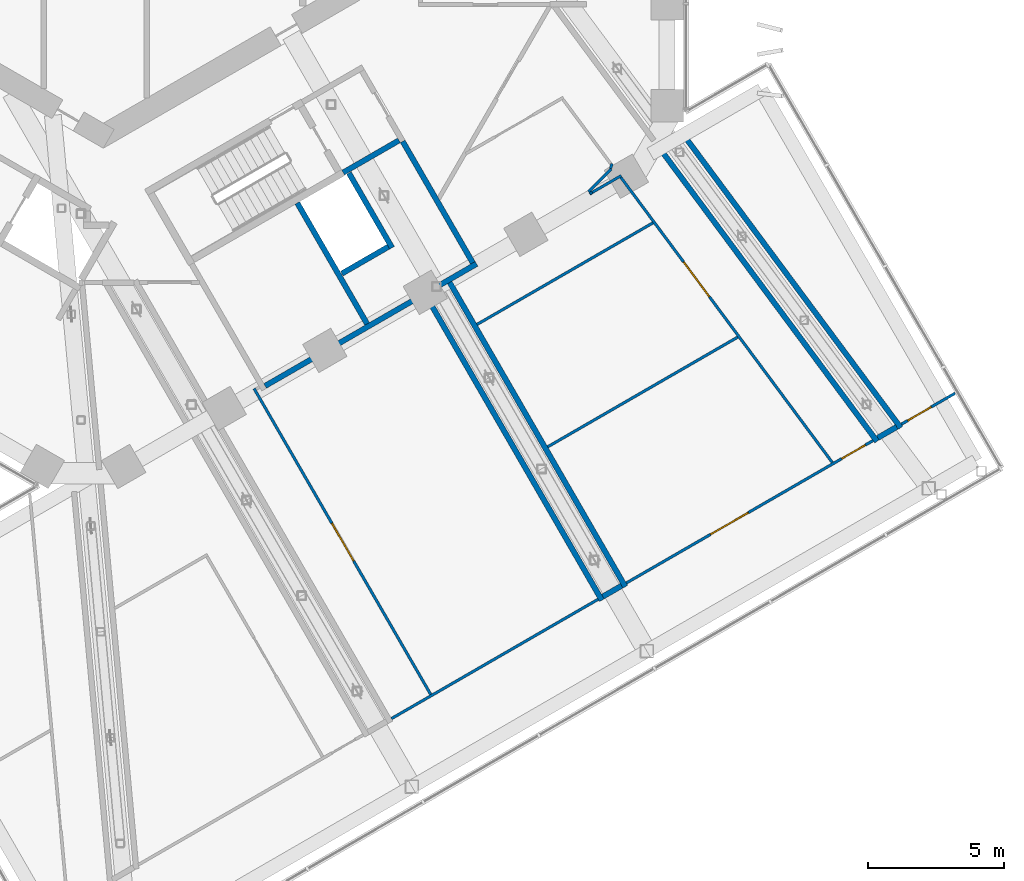
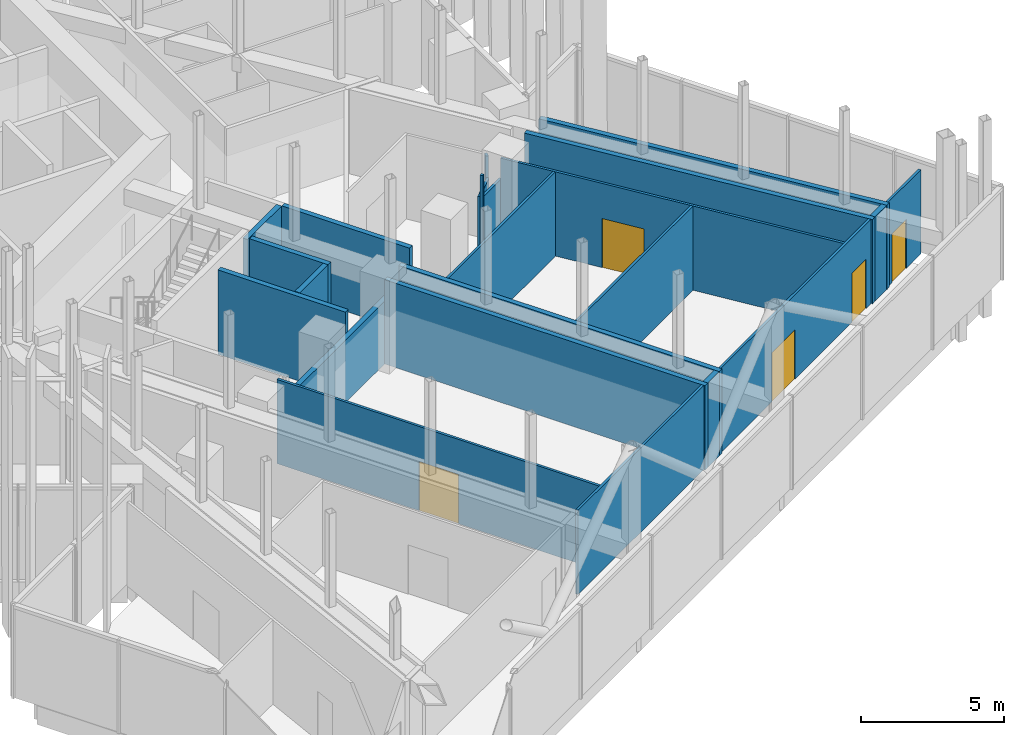
# One storey, part 20 of 29: 23 walls, 5 doors, 5 openings.
"""IFC4 building model written with IfcOpenShell, lengths in metres."""

from ifc_helpers import new_model, si_unit, direction, frame, frame_2d, origin, place, context, subcontext, project, spatial, rectangle, extrude, material, layer, layer_set, type_object, element, fill, save


model = new_model("IFC4")

# Units and contexts
model_context = context("Model", 3, precision=1e-05, world=origin(), true_north=direction((0.0, 1.0)))
body_context = subcontext(model_context, "Body", "Model", "MODEL_VIEW")
ifc_project = project(units=[si_unit("LENGTHUNIT", "METRE"), si_unit("AREAUNIT", "SQUARE_METRE"), si_unit("VOLUMEUNIT", "CUBIC_METRE"), si_unit("PLANEANGLEUNIT", "RADIAN"), si_unit("MASSUNIT", "GRAM", prefix="KILO")], contexts=[model_context])

# Site, building, storey
site_placement = place(None, origin())
site = spatial("IfcSite", under=ifc_project, at=site_placement, CompositionType="ELEMENT")
building_placement = place(site_placement, origin())
building = spatial("IfcBuilding", under=site, at=building_placement, Name="Ayvan Gate Tower", CompositionType="ELEMENT")
storey_placement = place(building_placement, frame((0.0, 0.0, 66.300048828125)))
storey = spatial("IfcBuildingStorey", under=building, at=storey_placement, Name="L17", CompositionType="ELEMENT", Elevation=66.300048828125)

# Wall, opening, door
ifc_material_1 = material(Name="Plasterboard on steel stud", Category="steel")
ifc_layer_1 = layer(ifc_material_1, 0.10009765625)
ifc_layer_set_1 = layer_set([ifc_layer_1], Name="Plasterboard on steel stud")
wall_type_1 = type_object("IfcWallType", Name="WT-PART-100", PredefinedType="PARTITIONING", material=ifc_layer_set_1)
wall_1_placement = place(storey_placement, frame((5.560546875, -19.831298828125, 0.0), z_axis=(0.0, 0.0, 1.0), x_axis=(0.500009798456, -0.866019746569, 0.0)))
wall_1 = element("IfcWall", 1, at=wall_1_placement, inside=storey, type_object=wall_type_1, Name="IW-L17-096", PredefinedType="PARTITIONING", context=body_context, shape_type="SweptSolid", body=[
    extrude(rectangle(XDim=13.017822265625, YDim=0.10009765625, at=frame_2d((6.5087890625, 0.0))), origin(), (0.0, 0.0, 1.0), 3.599853515625),
])
opening_1_placement = place(wall_1_placement, frame((5.73388671875, 0.0, 0.0)))
opening_1 = element("IfcOpeningElement", 2, at=opening_1_placement, cuts=wall_1, Name="Opening L17-D45", PredefinedType="OPENING", context=body_context, shape_type="SweptSolid", body=[
    extrude(rectangle(XDim=1.60009765625, YDim=2.10009765625, at=frame_2d((0.800048828125, 1.050048828125))), frame((0.0, 0.06005859375, 0.0), z_axis=(0.0, -1.0, 0.0), x_axis=(1.0, 0.0, 0.0)), (0.0, 0.0, 1.0), 0.1201171875),
])
ifc_material_2 = material(Name="Timber door leaf", Category="wood")
door_type_1 = type_object("IfcDoorType", Name="DT-1600", OperationType="NOTDEFINED", PredefinedType="DOOR", material=ifc_material_2)
door_1_placement = place(opening_1_placement, origin())
door_1 = element("IfcDoor", 3, at=door_1_placement, inside=storey, type_object=door_type_1, Name="ID-L17-045", OperationType="SINGLE_SWING_RIGHT", OverallHeight=2.10009765625, OverallWidth=1.60009765625, PredefinedType="DOOR", context=body_context, shape_type="SweptSolid", body=[
    extrude(rectangle(XDim=1.60009765625, YDim=2.10009765625, at=frame_2d((0.800048828125, 1.050048828125))), frame((0.0, 0.02490234375, 0.0), z_axis=(0.0, -1.0, 0.0), x_axis=(1.0, 0.0, 0.0)), (0.0, 0.0, 1.0), 0.050048828125),
])
fill(opening_1, door_1)

# Walls
wall_2_placement = place(storey_placement, frame((10.622314453125, -31.998291015625, 0.0), z_axis=(0.0, 0.0, 1.0), x_axis=(0.866020190133, 0.500009030201, 0.0)))
element("IfcWall", 4, at=wall_2_placement, inside=storey, type_object=wall_type_1, Name="IW-L17-115", PredefinedType="PARTITIONING", context=body_context, shape_type="SweptSolid", body=[
    extrude(rectangle(XDim=8.800048828125, YDim=0.10009765625, at=frame_2d((4.39990234375, 0.0))), origin(), (0.0, 0.0, 1.0), 3.599853515625),
])
wall_3_placement = place(storey_placement, frame((17.883056640625, -12.57421875, 0.0), z_axis=(0.0, 0.0, 1.0), x_axis=(0.707106781187, 0.707106781187, 0.0)))
element("IfcWall", 5, at=wall_3_placement, inside=storey, type_object=wall_type_1, Name="IW-L17-140", PredefinedType="PARTITIONING", context=body_context, shape_type="SweptSolid", body=[
    extrude(rectangle(XDim=1.190185546875, YDim=0.10009765625, at=frame_2d((0.59521484375, 0.0))), origin(), (0.0, 0.0, 1.0), 2.675048828125),
])
wall_4_placement = place(storey_placement, frame((18.0126953125, -12.662109375, 0.0), z_axis=(0.0, 0.0, 1.0), x_axis=(-0.608139126224, 0.793830462476, 0.0)))
element("IfcWall", 6, at=wall_4_placement, inside=storey, type_object=wall_type_1, Name="IW-L17-141", PredefinedType="PARTITIONING", context=body_context, shape_type="SweptSolid", body=[
    extrude(rectangle(XDim=0.105224609375, YDim=0.10009765625, at=frame_2d((0.052734375, 0.0))), origin(), (0.0, 0.0, 1.0), 3.599853515625),
])
wall_5_placement = place(storey_placement, frame((18.702392578125, -11.7197265625, 0.0), z_axis=(0.0, 0.0, 1.0), x_axis=(0.257902224814, 0.966171021319, 0.0)))
element("IfcWall", 7, at=wall_5_placement, inside=storey, type_object=wall_type_1, Name="IW-L17-145", PredefinedType="PARTITIONING", context=body_context, shape_type="SweptSolid", body=[
    extrude(rectangle(XDim=0.190185546875, YDim=0.10009765625, at=frame_2d((0.09521484375, 0.0))), origin(), (0.0, 0.0, 1.0), 3.599853515625),
])
wall_6_placement = place(storey_placement, frame((19.09423828125, -11.98046875, 0.0), z_axis=(0.0, 0.0, 1.0), x_axis=(-0.866030726613, -0.499990780478, 0.0)))
element("IfcWall", 8, at=wall_6_placement, inside=storey, type_object=wall_type_1, Name="IW-L17-147", PredefinedType="PARTITIONING", context=body_context, shape_type="SweptSolid", body=[
    extrude(rectangle(XDim=1.23388671875, YDim=0.10009765625, at=frame_2d((0.616943359375, 0.0))), origin(), (0.0, 0.0, 1.0), 2.675048828125),
])

# Wall, openings, doors
wall_7_placement = place(storey_placement, frame((19.282470703125, -26.998291015625, 0.0), z_axis=(0.0, 0.0, 1.0), x_axis=(0.866024561644, 0.500001458627, 0.0)))
wall_7 = element("IfcWall", 9, at=wall_7_placement, inside=storey, type_object=wall_type_1, Name="IW-L17-148", PredefinedType="PARTITIONING", context=body_context, shape_type="SweptSolid", body=[
    extrude(rectangle(XDim=10.50341796875, YDim=0.10009765625, at=frame_2d((5.251708984375, 0.0))), origin(), (0.0, 0.0, 1.0), 3.599853515625),
])
opening_2_placement = place(wall_7_placement, frame((9.16845703125, 0.0, 0.0)))
opening_2 = element("IfcOpeningElement", 10, at=opening_2_placement, cuts=wall_7, Name="Opening L17-D38", PredefinedType="OPENING", context=body_context, shape_type="SweptSolid", body=[
    extrude(rectangle(XDim=1.0, YDim=2.10009765625, at=frame_2d((0.5, 1.050048828125))), frame((0.0, 0.06005859375, 0.0), z_axis=(0.0, -1.0, 0.0), x_axis=(1.0, 0.0, 0.0)), (0.0, 0.0, 1.0), 0.1201171875),
])
opening_3_placement = place(wall_7_placement, frame((3.586669921875, 0.0, 0.0)))
opening_3 = element("IfcOpeningElement", 11, at=opening_3_placement, cuts=wall_7, Name="Opening L17-D49", PredefinedType="OPENING", context=body_context, shape_type="SweptSolid", body=[
    extrude(rectangle(XDim=1.60009765625, YDim=2.10009765625, at=frame_2d((0.800048828125, 1.050048828125))), frame((0.0, 0.06005859375, 0.0), z_axis=(0.0, -1.0, 0.0), x_axis=(1.0, 0.0, 0.0)), (0.0, 0.0, 1.0), 0.1201171875),
])
door_type_2 = type_object("IfcDoorType", Name="DT-1000", OperationType="NOTDEFINED", PredefinedType="DOOR", material=ifc_material_2)
door_2_placement = place(opening_2_placement, origin())
door_2 = element("IfcDoor", 12, at=door_2_placement, inside=storey, type_object=door_type_2, Name="ID-L17-038", OperationType="SINGLE_SWING_LEFT", OverallHeight=2.10009765625, OverallWidth=1.0, PredefinedType="DOOR", context=body_context, shape_type="SweptSolid", body=[
    extrude(rectangle(XDim=1.0, YDim=2.10009765625, at=frame_2d((0.5, 1.050048828125))), frame((0.0, 0.02490234375, 0.0), z_axis=(0.0, -1.0, 0.0), x_axis=(1.0, 0.0, 0.0)), (0.0, 0.0, 1.0), 0.050048828125),
])
fill(opening_2, door_2)
door_3_placement = place(opening_3_placement, origin())
door_3 = element("IfcDoor", 13, at=door_3_placement, inside=storey, type_object=door_type_1, Name="ID-L17-049", OperationType="SINGLE_SWING_RIGHT", OverallHeight=2.10009765625, OverallWidth=1.60009765625, PredefinedType="DOOR", context=body_context, shape_type="SweptSolid", body=[
    extrude(rectangle(XDim=1.60009765625, YDim=2.10009765625, at=frame_2d((0.800048828125, 1.050048828125))), frame((0.0, 0.02490234375, 0.0), z_axis=(0.0, -1.0, 0.0), x_axis=(1.0, 0.0, 0.0)), (0.0, 0.0, 1.0), 0.050048828125),
])
fill(opening_3, door_3)

# Wall
wall_8_placement = place(storey_placement, frame((20.262451171875, -13.721923828125, 0.0), z_axis=(0.0, 0.0, 1.0), x_axis=(-0.866021041913, -0.500007554907, 0.0)))
element("IfcWall", 14, at=wall_8_placement, inside=storey, type_object=wall_type_1, Name="IW-L17-151", PredefinedType="PARTITIONING", context=body_context, shape_type="SweptSolid", body=[
    extrude(rectangle(XDim=7.48681640625, YDim=0.10009765625, at=frame_2d((3.743408203125, 0.0))), origin(), (0.0, 0.0, 1.0), 3.599853515625),
])

# Wall, opening, door
wall_9_placement = place(storey_placement, frame((19.080810546875, -12.04541015625, 0.0), z_axis=(0.0, 0.0, 1.0), x_axis=(0.595719994052, -0.803192186644, 0.0)))
wall_9 = element("IfcWall", 15, at=wall_9_placement, inside=storey, type_object=wall_type_1, Name="IW-L17-152", PredefinedType="PARTITIONING", context=body_context, shape_type="SweptSolid", body=[
    extrude(rectangle(XDim=13.08642578125, YDim=0.10009765625, at=frame_2d((6.543212890625, 0.0))), origin(), (0.0, 0.0, 1.0), 3.599853515625),
])
opening_4_placement = place(wall_9_placement, frame((3.87841796875, 0.0, 0.0)))
opening_4 = element("IfcOpeningElement", 16, at=opening_4_placement, cuts=wall_9, Name="Opening L17-D48", PredefinedType="OPENING", context=body_context, shape_type="SweptSolid", body=[
    extrude(rectangle(XDim=1.60009765625, YDim=2.10009765625, at=frame_2d((0.800048828125, 1.050048828125))), frame((0.0, 0.06005859375, 0.0), z_axis=(0.0, -1.0, 0.0), x_axis=(1.0, 0.0, 0.0)), (0.0, 0.0, 1.0), 0.1201171875),
])
door_4_placement = place(opening_4_placement, origin())
door_4 = element("IfcDoor", 17, at=door_4_placement, inside=storey, type_object=door_type_1, Name="ID-L17-048", OperationType="SINGLE_SWING_LEFT", OverallHeight=2.10009765625, OverallWidth=1.60009765625, PredefinedType="DOOR", context=body_context, shape_type="SweptSolid", body=[
    extrude(rectangle(XDim=1.60009765625, YDim=2.10009765625, at=frame_2d((0.800048828125, 1.050048828125))), frame((0.0, 0.02490234375, 0.0), z_axis=(0.0, -1.0, 0.0), x_axis=(1.0, 0.0, 0.0)), (0.0, 0.0, 1.0), 0.050048828125),
])
fill(opening_4, door_4)

# Wall
wall_10_placement = place(storey_placement, frame((23.38671875, -17.9345703125, 0.0), z_axis=(0.0, 0.0, 1.0), x_axis=(-0.866021679419, -0.500006450734, 0.0)))
element("IfcWall", 18, at=wall_10_placement, inside=storey, type_object=wall_type_1, Name="IW-L17-154", PredefinedType="PARTITIONING", context=body_context, shape_type="SweptSolid", body=[
    extrude(rectangle(XDim=8.08642578125, YDim=0.10009765625, at=frame_2d((4.043212890625, 0.0))), origin(), (0.0, 0.0, 1.0), 3.599853515625),
])

# Wall, opening, door
wall_11_placement = place(storey_placement, frame((29.423583984375, -21.143310546875, 0.0), z_axis=(0.0, 0.0, 1.0), x_axis=(0.866013071698, 0.500021359192, 0.0)))
wall_11 = element("IfcWall", 19, at=wall_11_placement, inside=storey, type_object=wall_type_1, Name="IW-L17-156", PredefinedType="PARTITIONING", context=body_context, shape_type="SweptSolid", body=[
    extrude(rectangle(XDim=2.2861328125, YDim=0.10009765625, at=frame_2d((1.14306640625, 0.0))), origin(), (0.0, 0.0, 1.0), 3.599853515625),
])
opening_5_placement = place(wall_11_placement, frame((0.27001953125, 0.0, 0.0)))
opening_5 = element("IfcOpeningElement", 20, at=opening_5_placement, cuts=wall_11, Name="Opening L17-D50", PredefinedType="OPENING", context=body_context, shape_type="SweptSolid", body=[
    extrude(rectangle(XDim=1.0, YDim=2.10009765625, at=frame_2d((0.5, 1.050048828125))), frame((0.0, 0.06005859375, 0.0), z_axis=(0.0, -1.0, 0.0), x_axis=(1.0, 0.0, 0.0)), (0.0, 0.0, 1.0), 0.1201171875),
])
door_5_placement = place(opening_5_placement, origin())
door_5 = element("IfcDoor", 21, at=door_5_placement, inside=storey, type_object=door_type_2, Name="ID-L17-050", OperationType="SINGLE_SWING_LEFT", OverallHeight=2.10009765625, OverallWidth=1.0, PredefinedType="DOOR", context=body_context, shape_type="SweptSolid", body=[
    extrude(rectangle(XDim=1.0, YDim=2.10009765625, at=frame_2d((0.5, 1.050048828125))), frame((0.0, 0.02490234375, 0.0), z_axis=(0.0, -1.0, 0.0), x_axis=(1.0, 0.0, 0.0)), (0.0, 0.0, 1.0), 0.050048828125),
])
fill(opening_5, door_5)

# Walls
ifc_layer_2 = layer(ifc_material_1, 0.199951171875)
ifc_layer_set_2 = layer_set([ifc_layer_2], Name="Plasterboard on steel stud")
wall_type_2 = type_object("IfcWallType", Name="WT-PLUMB-200", PredefinedType="PLUMBINGWALL", material=ifc_layer_set_2)
wall_12_placement = place(storey_placement, frame((7.152587890625, -12.98876953125, 0.0), z_axis=(0.0, 0.0, 1.0), x_axis=(0.500005742616, -0.866022088258, 0.0)))
element("IfcWall", 22, at=wall_12_placement, inside=storey, type_object=wall_type_2, Name="IW-L17-100", PredefinedType="PLUMBINGWALL", context=body_context, shape_type="SweptSolid", body=[
    extrude(rectangle(XDim=5.1474609375, YDim=0.199951171875, at=frame_2d((2.57373046875, 0.0))), origin(), (0.0, 0.0, 1.0), 3.599853515625),
])
wall_13_placement = place(storey_placement, frame((5.9658203125, -19.733154296875, 0.0), z_axis=(0.0, 0.0, 1.0), x_axis=(0.866024315419, 0.5000018851, 0.0)))
element("IfcWall", 23, at=wall_13_placement, inside=storey, type_object=wall_type_2, Name="IW-L17-114", PredefinedType="PLUMBINGWALL", context=body_context, shape_type="SweptSolid", body=[
    extrude(rectangle(XDim=9.0, YDim=0.199951171875, at=frame_2d((4.5, 0.0))), origin(), (0.0, 0.0, 1.0), 2.675048828125),
])
wall_14_placement = place(storey_placement, frame((10.900634765625, -10.6806640625, 0.0), z_axis=(0.0, 0.0, 1.0), x_axis=(-0.866007538022, -0.500030943131, 0.0)))
element("IfcWall", 24, at=wall_14_placement, inside=storey, type_object=wall_type_2, Name="IW-L17-117", PredefinedType="PLUMBINGWALL", context=body_context, shape_type="SweptSolid", body=[
    extrude(rectangle(XDim=2.374755859375, YDim=0.199951171875, at=frame_2d((1.1875, 0.0))), origin(), (0.0, 0.0, 1.0), 3.599853515625),
])
wall_15_placement = place(storey_placement, frame((11.037353515625, -10.71728515625, 0.0), z_axis=(0.0, 0.0, 1.0), x_axis=(0.500012553759, -0.866018155747, 0.0)))
element("IfcWall", 25, at=wall_15_placement, inside=storey, type_object=wall_type_2, Name="IW-L17-118", PredefinedType="PLUMBINGWALL", context=body_context, shape_type="SweptSolid", body=[
    extrude(rectangle(XDim=5.172119140625, YDim=0.199951171875, at=frame_2d((2.5859375, 0.0))), origin(), (0.0, 0.0, 1.0), 3.599853515625),
])
wall_16_placement = place(storey_placement, frame((12.77099609375, -15.919921875, 0.0), z_axis=(0.0, 0.0, 1.0), x_axis=(0.499989546451, -0.86603143906, 0.0)))
element("IfcWall", 26, at=wall_16_placement, inside=storey, type_object=wall_type_2, Name="IW-L17-127", PredefinedType="PLUMBINGWALL", context=body_context, shape_type="SweptSolid", body=[
    extrude(rectangle(XDim=12.949951171875, YDim=0.199951171875, at=frame_2d((6.47509765625, 0.0))), origin(), (0.0, 0.0, 1.0), 3.599853515625),
])
wall_17_placement = place(storey_placement, frame((18.3798828125, -27.635009765625, 0.0), z_axis=(0.0, 0.0, 1.0), x_axis=(-0.500003685891, 0.866023275724, 0.0)))
element("IfcWall", 27, at=wall_17_placement, inside=storey, type_object=wall_type_2, Name="IW-L17-142", PredefinedType="PLUMBINGWALL", context=body_context, shape_type="SweptSolid", body=[
    extrude(rectangle(XDim=12.9501953125, YDim=0.199951171875, at=frame_2d((6.47509765625, 0.0))), origin(), (0.0, 0.0, 1.0), 3.599853515625),
])
wall_18_placement = place(storey_placement, frame((19.109375, -27.098388671875, 0.0), z_axis=(0.0, 0.0, 1.0), x_axis=(-0.866094119867, -0.499880961361, 0.0)))
element("IfcWall", 28, at=wall_18_placement, inside=storey, type_object=wall_type_2, Name="IW-L17-149", PredefinedType="PLUMBINGWALL", context=body_context, shape_type="SweptSolid", body=[
    extrude(rectangle(XDim=0.800048828125, YDim=0.199951171875, at=frame_2d((0.39990234375, 0.0))), origin(), (0.0, 0.0, 1.0), 3.599853515625),
])
wall_19_placement = place(storey_placement, frame((21.481689453125, -10.60205078125, 0.0), z_axis=(0.0, 0.0, 1.0), x_axis=(0.595707756501, -0.803201262975, 0.0)))
element("IfcWall", 29, at=wall_19_placement, inside=storey, type_object=wall_type_2, Name="IW-L17-153", PredefinedType="PLUMBINGWALL", context=body_context, shape_type="SweptSolid", body=[
    extrude(rectangle(XDim=13.286376953125, YDim=0.199951171875, at=frame_2d((6.64306640625, 0.0))), origin(), (0.0, 0.0, 1.0), 3.599853515625),
])
wall_20_placement = place(storey_placement, frame((28.52490234375, -21.777099609375, 0.0), z_axis=(0.0, 0.0, 1.0), x_axis=(-0.595719610783, 0.803192470911, 0.0)))
element("IfcWall", 30, at=wall_20_placement, inside=storey, type_object=wall_type_2, Name="IW-L17-155", PredefinedType="PLUMBINGWALL", context=body_context, shape_type="SweptSolid", body=[
    extrude(rectangle(XDim=13.28662109375, YDim=0.199951171875, at=frame_2d((6.643310546875, 0.0))), origin(), (0.0, 0.0, 1.0), 3.599853515625),
])
wall_21_placement = place(storey_placement, frame((29.25048828125, -21.243408203125, 0.0), z_axis=(0.0, 0.0, 1.0), x_axis=(-0.866205740116, -0.499687518145, 0.0)))
element("IfcWall", 31, at=wall_21_placement, inside=storey, type_object=wall_type_2, Name="IW-L17-157", PredefinedType="PLUMBINGWALL", context=body_context, shape_type="SweptSolid", body=[
    extrude(rectangle(XDim=0.806640625, YDim=0.199951171875, at=frame_2d((0.4033203125, 0.0))), origin(), (0.0, 0.0, 1.0), 3.599853515625),
])
wall_22_placement = place(storey_placement, frame((9.055419921875, -11.884521484375, 0.0), z_axis=(0.0, 0.0, 1.0), x_axis=(0.50002815445, -0.866009148195, 0.0)))
element("IfcWall", 32, at=wall_22_placement, inside=storey, type_object=wall_type_2, Name="IW-L17-162", PredefinedType="PLUMBINGWALL", context=body_context, shape_type="SweptSolid", body=[
    extrude(rectangle(XDim=3.179931640625, YDim=0.199951171875, at=frame_2d((1.58984375, 0.0))), origin(), (0.0, 0.0, 1.0), 3.599853515625),
])
wall_23_placement = place(storey_placement, frame((10.5087890625, -14.601806640625, 0.0), z_axis=(0.0, 0.0, 1.0), x_axis=(-0.866011036969, -0.500024883228, 0.0)))
element("IfcWall", 33, at=wall_23_placement, inside=storey, type_object=wall_type_2, Name="IW-L17-163", PredefinedType="PLUMBINGWALL", context=body_context, shape_type="SweptSolid", body=[
    extrude(rectangle(XDim=1.97998046875, YDim=0.199951171875, at=frame_2d((0.989990234375, 0.0))), origin(), (0.0, 0.0, 1.0), 3.599853515625),
])

save(model, "model.ifc")
